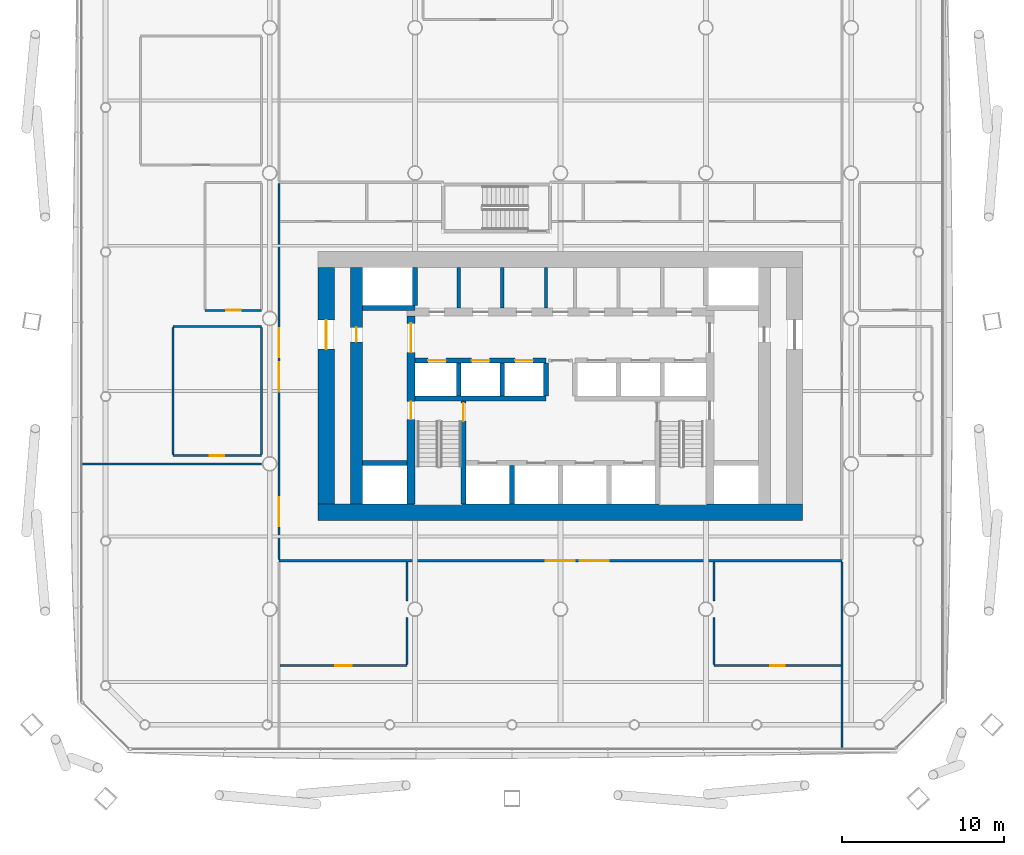
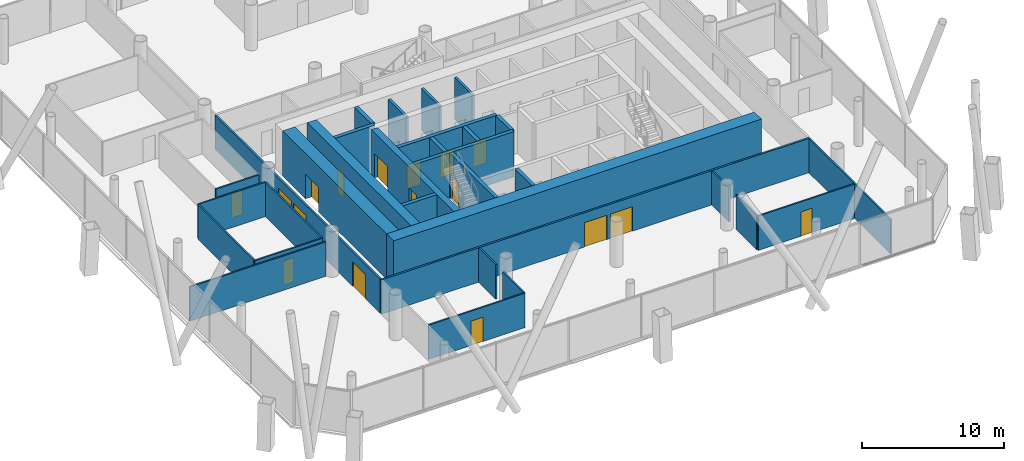
# One storey, part 17 of 25: 32 walls, 17 doors, 17 openings.
"""IFC4 building model written with IfcOpenShell, lengths in metres."""

from ifc_helpers import new_model, si_unit, direction, frame, frame_2d, origin, place, context, subcontext, project, spatial, rectangle, extrude, material, layer, layer_set, type_object, element, fill, save


model = new_model("IFC4")

# Units and contexts
model_context = context("Model", 3, precision=1e-05, world=origin(), true_north=direction((0.0, 1.0)))
body_context = subcontext(model_context, "Body", "Model", "MODEL_VIEW")
ifc_project = project(units=[si_unit("LENGTHUNIT", "METRE"), si_unit("AREAUNIT", "SQUARE_METRE"), si_unit("VOLUMEUNIT", "CUBIC_METRE"), si_unit("PLANEANGLEUNIT", "RADIAN"), si_unit("MASSUNIT", "GRAM", prefix="KILO")], contexts=[model_context])

# Site, building, storey
site_placement = place(None, origin())
site = spatial("IfcSite", under=ifc_project, at=site_placement, CompositionType="ELEMENT")
building_placement = place(site_placement, origin())
building = spatial("IfcBuilding", under=site, at=building_placement, Name="Tskaro Facet Tower", CompositionType="ELEMENT")
storey_placement = place(building_placement, frame((0.0, 0.0, 34.199951171875)))
storey = spatial("IfcBuildingStorey", under=building, at=storey_placement, Name="L07", CompositionType="ELEMENT", Elevation=34.199951171875)

# Walls
ifc_material_1 = material(Name="Concrete C60/75", Category="concrete")
ifc_layer_1 = layer(ifc_material_1, 0.300048828125, Name="Concrete C60/75")
ifc_layer_set_1 = layer_set([ifc_layer_1], Name="Concrete C60/75")
wall_type_1 = type_object("IfcWallType", Name="CORE-SHAFT", PredefinedType="SHEAR", material=ifc_layer_set_1)
wall_1_placement = place(storey_placement, frame((-12.25, -8.949951171875, 0.0), z_axis=(0.0, 0.0, 1.0), x_axis=(1.0, 0.0, 0.0)))
element("IfcWall", 1, at=wall_1_placement, inside=storey, type_object=wall_type_1, Name="Shaft wall W005", PredefinedType="SHEAR", context=body_context, shape_type="SweptSolid", body=[
    extrude(rectangle(XDim=2.75, YDim=0.300048828125, at=frame_2d((1.375, 0.0))), origin(), (0.0, 0.0, 1.0), 3.900146484375),
])
wall_2_placement = place(storey_placement, frame((-9.0, -4.949951171875, 0.0), z_axis=(0.0, 0.0, 1.0), x_axis=(1.0, 0.0, 0.0)))
element("IfcWall", 2, at=wall_2_placement, inside=storey, type_object=wall_type_1, Name="Shaft wall W010", PredefinedType="SHEAR", context=body_context, shape_type="SweptSolid", body=[
    extrude(rectangle(XDim=8.10009765625, YDim=0.300048828125, at=frame_2d((4.050048828125, 0.0))), origin(), (0.0, 0.0, 1.0), 3.900146484375),
])

# Wall, openings, doors
wall_3_placement = place(storey_placement, frame((-9.0, -2.60009765625, 0.0), z_axis=(0.0, 0.0, 1.0), x_axis=(1.0, 0.0, 0.0)))
wall_3 = element("IfcWall", 3, at=wall_3_placement, inside=storey, type_object=wall_type_1, Name="Shaft wall W012", PredefinedType="SHEAR", context=body_context, shape_type="SweptSolid", body=[
    extrude(rectangle(XDim=8.10009765625, YDim=0.300048828125, at=frame_2d((4.050048828125, 0.0))), origin(), (0.0, 0.0, 1.0), 3.900146484375),
])
opening_1_placement = place(wall_3_placement, frame((0.800048828125, 0.0, 0.0)))
opening_1 = element("IfcOpeningElement", 4, at=opening_1_placement, cuts=wall_3, Name="Opening LD-LR1", PredefinedType="OPENING", context=body_context, shape_type="SweptSolid", body=[
    extrude(rectangle(XDim=1.10009765625, YDim=2.10009765625, at=frame_2d((0.550048828125, 1.050048828125))), frame((0.0, 0.159912109375, 0.0), z_axis=(0.0, -1.0, 0.0), x_axis=(1.0, 0.0, 0.0)), (0.0, 0.0, 1.0), 0.320068359375),
])
opening_2_placement = place(wall_3_placement, frame((3.5, 0.0, 0.0)))
opening_2 = element("IfcOpeningElement", 5, at=opening_2_placement, cuts=wall_3, Name="Opening LD-LR2", PredefinedType="OPENING", context=body_context, shape_type="SweptSolid", body=[
    extrude(rectangle(XDim=1.10009765625, YDim=2.10009765625, at=frame_2d((0.550048828125, 1.050048828125))), frame((0.0, 0.159912109375, 0.0), z_axis=(0.0, -1.0, 0.0), x_axis=(1.0, 0.0, 0.0)), (0.0, 0.0, 1.0), 0.320068359375),
])
opening_3_placement = place(wall_3_placement, frame((6.199951171875, 0.0, 0.0)))
opening_3 = element("IfcOpeningElement", 6, at=opening_3_placement, cuts=wall_3, Name="Opening LD-LR3", PredefinedType="OPENING", context=body_context, shape_type="SweptSolid", body=[
    extrude(rectangle(XDim=1.10009765625, YDim=2.10009765625, at=frame_2d((0.550048828125, 1.050048828125))), frame((0.0, 0.159912109375, 0.0), z_axis=(0.0, -1.0, 0.0), x_axis=(1.0, 0.0, 0.0)), (0.0, 0.0, 1.0), 0.320068359375),
])
ifc_material_2 = material(Name="Stainless steel", Category="steel")
door_type_1 = type_object("IfcDoorType", Name="D-LANDING", OperationType="NOTDEFINED", PredefinedType="DOOR", material=ifc_material_2)
door_1_placement = place(opening_1_placement, origin())
door_1 = element("IfcDoor", 7, at=door_1_placement, inside=storey, type_object=door_type_1, Name="Landing door LR1", OperationType="DOUBLE_DOOR_SLIDING", OverallHeight=2.10009765625, OverallWidth=1.10009765625, PredefinedType="DOOR", context=body_context, shape_type="SweptSolid", body=[
    extrude(rectangle(XDim=1.10009765625, YDim=2.10009765625, at=frame_2d((0.550048828125, 1.050048828125))), frame((0.0, 0.02490234375, 0.0), z_axis=(0.0, -1.0, 0.0), x_axis=(1.0, 0.0, 0.0)), (0.0, 0.0, 1.0), 0.050048828125),
])
fill(opening_1, door_1)
door_2_placement = place(opening_2_placement, origin())
door_2 = element("IfcDoor", 8, at=door_2_placement, inside=storey, type_object=door_type_1, Name="Landing door LR2", OperationType="DOUBLE_DOOR_SLIDING", OverallHeight=2.10009765625, OverallWidth=1.10009765625, PredefinedType="DOOR", context=body_context, shape_type="SweptSolid", body=[
    extrude(rectangle(XDim=1.10009765625, YDim=2.10009765625, at=frame_2d((0.550048828125, 1.050048828125))), frame((0.0, 0.02490234375, 0.0), z_axis=(0.0, -1.0, 0.0), x_axis=(1.0, 0.0, 0.0)), (0.0, 0.0, 1.0), 0.050048828125),
])
fill(opening_2, door_2)
door_3_placement = place(opening_3_placement, origin())
door_3 = element("IfcDoor", 9, at=door_3_placement, inside=storey, type_object=door_type_1, Name="Landing door LR3", OperationType="DOUBLE_DOOR_SLIDING", OverallHeight=2.10009765625, OverallWidth=1.10009765625, PredefinedType="DOOR", context=body_context, shape_type="SweptSolid", body=[
    extrude(rectangle(XDim=1.10009765625, YDim=2.10009765625, at=frame_2d((0.550048828125, 1.050048828125))), frame((0.0, 0.02490234375, 0.0), z_axis=(0.0, -1.0, 0.0), x_axis=(1.0, 0.0, 0.0)), (0.0, 0.0, 1.0), 0.050048828125),
])
fill(opening_3, door_3)

# Walls
wall_4_placement = place(storey_placement, frame((-9.0, 0.64990234375, 0.0), z_axis=(0.0, 0.0, 1.0), x_axis=(-1.0, 0.0, 0.0)))
element("IfcWall", 10, at=wall_4_placement, inside=storey, type_object=wall_type_1, Name="Shaft wall W019", PredefinedType="SHEAR", context=body_context, shape_type="SweptSolid", body=[
    extrude(rectangle(XDim=3.25, YDim=0.300048828125, at=frame_2d((1.625, 0.0))), origin(), (0.0, 0.0, 1.0), 3.900146484375),
])
wall_5_placement = place(storey_placement, frame((-9.0, 0.800048828125, 0.0), z_axis=(0.0, 0.0, 1.0), x_axis=(0.0, 1.0, 0.0)))
element("IfcWall", 11, at=wall_5_placement, inside=storey, type_object=wall_type_1, Name="Shaft wall W046", PredefinedType="SHEAR", context=body_context, shape_type="SweptSolid", body=[
    extrude(rectangle(XDim=2.349853515625, YDim=0.300048828125, at=frame_2d((1.1748046875, 0.0))), origin(), (0.0, 0.0, 1.0), 3.900146484375),
])
wall_6_placement = place(storey_placement, frame((-6.300048828125, -4.800048828125, 0.0), z_axis=(0.0, 0.0, 1.0), x_axis=(0.0, 1.0, 0.0)))
element("IfcWall", 12, at=wall_6_placement, inside=storey, type_object=wall_type_1, Name="Shaft wall W049", PredefinedType="SHEAR", context=body_context, shape_type="SweptSolid", body=[
    extrude(rectangle(XDim=2.050048828125, YDim=0.300048828125, at=frame_2d((1.02490234375, 0.0))), origin(), (0.0, 0.0, 1.0), 3.900146484375),
])

# Wall, opening, door
wall_7_placement = place(storey_placement, frame((-6.0, -11.5, 0.0), z_axis=(0.0, 0.0, 1.0), x_axis=(0.0, 1.0, 0.0)))
wall_7 = element("IfcWall", 13, at=wall_7_placement, inside=storey, type_object=wall_type_1, Name="Shaft wall W051", PredefinedType="SHEAR", context=body_context, shape_type="SweptSolid", body=[
    extrude(rectangle(XDim=6.39990234375, YDim=0.300048828125, at=frame_2d((3.199951171875, 0.0))), origin(), (0.0, 0.0, 1.0), 3.900146484375),
])
opening_4_placement = place(wall_7_placement, frame((5.14990234375, 0.0, 0.0)))
opening_4 = element("IfcOpeningElement", 14, at=opening_4_placement, cuts=wall_7, Name="Opening ST-1-D1", PredefinedType="OPENING", context=body_context, shape_type="SweptSolid", body=[
    extrude(rectangle(XDim=1.10009765625, YDim=2.10009765625, at=frame_2d((0.550048828125, 1.050048828125))), frame((0.0, 0.159912109375, 0.0), z_axis=(0.0, -1.0, 0.0), x_axis=(1.0, 0.0, 0.0)), (0.0, 0.0, 1.0), 0.320068359375),
])
ifc_material_3 = material(Name="Steel", Category="steel")
door_type_2 = type_object("IfcDoorType", Name="D-STAIR", OperationType="NOTDEFINED", PredefinedType="DOOR", material=ifc_material_3)
door_4_placement = place(opening_4_placement, origin())
door_4 = element("IfcDoor", 15, at=door_4_placement, inside=storey, type_object=door_type_2, Name="Stair door 1", OperationType="SINGLE_SWING_LEFT", OverallHeight=2.10009765625, OverallWidth=1.10009765625, PredefinedType="DOOR", context=body_context, shape_type="SweptSolid", body=[
    extrude(rectangle(XDim=1.10009765625, YDim=2.10009765625, at=frame_2d((0.550048828125, 1.050048828125))), frame((0.0, 0.02490234375, 0.0), z_axis=(0.0, -1.0, 0.0), x_axis=(1.0, 0.0, 0.0)), (0.0, 0.0, 1.0), 0.050048828125),
])
fill(opening_4, door_4)

# Walls
wall_8_placement = place(storey_placement, frame((-3.60009765625, -4.800048828125, 0.0), z_axis=(0.0, 0.0, 1.0), x_axis=(0.0, 1.0, 0.0)))
element("IfcWall", 16, at=wall_8_placement, inside=storey, type_object=wall_type_1, Name="Shaft wall W052", PredefinedType="SHEAR", context=body_context, shape_type="SweptSolid", body=[
    extrude(rectangle(XDim=2.050048828125, YDim=0.300048828125, at=frame_2d((1.02490234375, 0.0))), origin(), (0.0, 0.0, 1.0), 3.900146484375),
])
wall_9_placement = place(storey_placement, frame((-3.0, -11.5, 0.0), z_axis=(0.0, 0.0, 1.0), x_axis=(0.0, 1.0, 0.0)))
element("IfcWall", 17, at=wall_9_placement, inside=storey, type_object=wall_type_1, Name="Shaft wall W054", PredefinedType="SHEAR", context=body_context, shape_type="SweptSolid", body=[
    extrude(rectangle(XDim=2.39990234375, YDim=0.300048828125, at=frame_2d((1.199951171875, 0.0))), origin(), (0.0, 0.0, 1.0), 3.900146484375),
])
wall_10_placement = place(storey_placement, frame((-0.89990234375, -4.800048828125, 0.0), z_axis=(0.0, 0.0, 1.0), x_axis=(0.0, 1.0, 0.0)))
element("IfcWall", 18, at=wall_10_placement, inside=storey, type_object=wall_type_1, Name="Shaft wall W055", PredefinedType="SHEAR", context=body_context, shape_type="SweptSolid", body=[
    extrude(rectangle(XDim=2.050048828125, YDim=0.300048828125, at=frame_2d((1.02490234375, 0.0))), origin(), (0.0, 0.0, 1.0), 3.900146484375),
])
ifc_material_4 = material(Name="Concrete C20/25", Category="concrete")
ifc_layer_2 = layer(ifc_material_4, 0.199951171875, Name="Concrete C20/25")
ifc_layer_set_2 = layer_set([ifc_layer_2], Name="Concrete C20/25")
wall_type_2 = type_object("IfcWallType", Name="CORE-WALL", PredefinedType="SOLIDWALL", material=ifc_layer_set_2)
for number, where, z_axis, x_axis, name in (
    (19, (-6.300048828125, 0.64990234375, 0.0), (0.0, 0.0, 1.0), (0.0, 1.0, 0.0), "Core room wall W050"),
    (20, (-3.60009765625, 0.64990234375, 0.0), (0.0, 0.0, 1.0), (0.0, 1.0, 0.0), "Core room wall W053"),
    (21, (-0.89990234375, 0.64990234375, 0.0), (0.0, 0.0, 1.0), (0.0, 1.0, 0.0), "Core room wall W056"),
):
    element("IfcWall", number, at=place(storey_placement, frame(where, z_axis=z_axis, x_axis=x_axis)), inside=storey, type_object=wall_type_2, Name=name, PredefinedType="SOLIDWALL", context=body_context, shape_type="SweptSolid", body=[
        extrude(rectangle(XDim=2.5, YDim=0.199951171875, at=frame_2d((1.25, 0.0))), origin(), (0.0, 0.0, 1.0), 3.60009765625),
    ])
ifc_layer_3 = layer(ifc_material_1, 1.0, Name="Concrete C60/75")
ifc_layer_set_3 = layer_set([ifc_layer_3], Name="Concrete C60/75")
wall_type_3 = type_object("IfcWallType", Name="Core wall 1000", PredefinedType="SHEAR", material=ifc_layer_set_3)
wall_11_placement = place(storey_placement, frame((-15.0, -12.0, 0.0), z_axis=(0.0, 0.0, 1.0), x_axis=(1.0, 0.0, 0.0)))
element("IfcWall", 22, at=wall_11_placement, inside=storey, type_object=wall_type_3, Name="Core wall CW-Z1S", PredefinedType="SHEAR", context=body_context, shape_type="SweptSolid", body=[
    extrude(rectangle(XDim=30.0, YDim=1.0, at=frame_2d((15.0, 0.0))), origin(), (0.0, 0.0, 1.0), 3.900146484375),
])

# Wall, opening, door
wall_12_placement = place(storey_placement, frame((-14.5, -11.5, 0.0), z_axis=(0.0, 0.0, 1.0), x_axis=(0.0, 1.0, 0.0)))
wall_12 = element("IfcWall", 23, at=wall_12_placement, inside=storey, type_object=wall_type_3, Name="Core wall CW-Z1W", PredefinedType="SHEAR", context=body_context, shape_type="SweptSolid", body=[
    extrude(rectangle(XDim=14.64990234375, YDim=1.0, at=frame_2d((7.324951171875, 0.0))), origin(), (0.0, 0.0, 1.0), 3.900146484375),
])
opening_5_placement = place(wall_12_placement, frame((9.60009765625, 0.0, 0.0)))
opening_5 = element("IfcOpeningElement", 24, at=opening_5_placement, cuts=wall_12, Name="Opening T2-D16", PredefinedType="OPENING", context=body_context, shape_type="SweptSolid", body=[
    extrude(rectangle(XDim=1.800048828125, YDim=2.10009765625, at=frame_2d((0.89990234375, 1.050048828125))), frame((0.0, 0.510009765625, 0.0), z_axis=(0.0, -1.0, 0.0), x_axis=(1.0, 0.0, 0.0)), (0.0, 0.0, 1.0), 1.02001953125),
])
door_type_3 = type_object("IfcDoorType", Name="D-CORE-PAIR", OperationType="NOTDEFINED", PredefinedType="DOOR", material=ifc_material_3)
door_5_placement = place(opening_5_placement, origin())
door_5 = element("IfcDoor", 25, at=door_5_placement, inside=storey, type_object=door_type_3, Name="Door T2-D16", OperationType="DOUBLE_DOOR_SINGLE_SWING", OverallHeight=2.10009765625, OverallWidth=1.800048828125, PredefinedType="DOOR", context=body_context, shape_type="SweptSolid", body=[
    extrude(rectangle(XDim=1.800048828125, YDim=2.10009765625, at=frame_2d((0.89990234375, 1.050048828125))), frame((0.0, 0.02490234375, 0.0), z_axis=(0.0, -1.0, 0.0), x_axis=(1.0, 0.0, 0.0)), (0.0, 0.0, 1.0), 0.050048828125),
])
fill(opening_5, door_5)

# Wall, openings, doors
ifc_material_5 = material(Name="Concrete C40/50", Category="concrete")
ifc_layer_4 = layer(ifc_material_5, 0.5, Name="Concrete C40/50")
ifc_layer_set_4 = layer_set([ifc_layer_4], Name="Concrete C40/50")
wall_type_4 = type_object("IfcWallType", Name="Core wall 500", PredefinedType="SHEAR", material=ifc_layer_set_4)
wall_13_placement = place(storey_placement, frame((-9.25, -11.5, 0.0), z_axis=(0.0, 0.0, 1.0), x_axis=(0.0, 1.0, 0.0)))
wall_13 = element("IfcWall", 26, at=wall_13_placement, inside=storey, type_object=wall_type_4, Name="Core wall CW-Z3W", PredefinedType="SHEAR", context=body_context, shape_type="SweptSolid", body=[
    extrude(rectangle(XDim=11.64990234375, YDim=0.5, at=frame_2d((5.824951171875, 0.0))), origin(), (0.0, 0.0, 1.0), 3.900146484375),
])
opening_6_placement = place(wall_13_placement, frame((9.39990234375, 0.0, 0.0)))
opening_6 = element("IfcOpeningElement", 27, at=opening_6_placement, cuts=wall_13, Name="Opening T2-D14", PredefinedType="OPENING", context=body_context, shape_type="SweptSolid", body=[
    extrude(rectangle(XDim=1.800048828125, YDim=2.10009765625, at=frame_2d((0.89990234375, 1.050048828125))), frame((0.0, 0.260009765625, 0.0), z_axis=(0.0, -1.0, 0.0), x_axis=(1.0, 0.0, 0.0)), (0.0, 0.0, 1.0), 0.52001953125),
])
opening_7_placement = place(wall_13_placement, frame((5.25, 0.0, 0.0)))
opening_7 = element("IfcOpeningElement", 28, at=opening_7_placement, cuts=wall_13, Name="Opening ST-1-D2", PredefinedType="OPENING", context=body_context, shape_type="SweptSolid", body=[
    extrude(rectangle(XDim=1.10009765625, YDim=2.10009765625, at=frame_2d((0.550048828125, 1.050048828125))), frame((0.0, 0.260009765625, 0.0), z_axis=(0.0, -1.0, 0.0), x_axis=(1.0, 0.0, 0.0)), (0.0, 0.0, 1.0), 0.52001953125),
])
door_6_placement = place(opening_6_placement, origin())
door_6 = element("IfcDoor", 29, at=door_6_placement, inside=storey, type_object=door_type_3, Name="Door T2-D14", OperationType="DOUBLE_DOOR_SINGLE_SWING", OverallHeight=2.10009765625, OverallWidth=1.800048828125, PredefinedType="DOOR", context=body_context, shape_type="SweptSolid", body=[
    extrude(rectangle(XDim=1.800048828125, YDim=2.10009765625, at=frame_2d((0.89990234375, 1.050048828125))), frame((0.0, 0.02490234375, 0.0), z_axis=(0.0, -1.0, 0.0), x_axis=(1.0, 0.0, 0.0)), (0.0, 0.0, 1.0), 0.050048828125),
])
fill(opening_6, door_6)
door_7_placement = place(opening_7_placement, origin())
door_7 = element("IfcDoor", 30, at=door_7_placement, inside=storey, type_object=door_type_2, Name="Stair door 1 west", OperationType="SINGLE_SWING_LEFT", OverallHeight=2.10009765625, OverallWidth=1.10009765625, PredefinedType="DOOR", context=body_context, shape_type="SweptSolid", body=[
    extrude(rectangle(XDim=1.10009765625, YDim=2.10009765625, at=frame_2d((0.550048828125, 1.050048828125))), frame((0.0, 0.02490234375, 0.0), z_axis=(0.0, -1.0, 0.0), x_axis=(1.0, 0.0, 0.0)), (0.0, 0.0, 1.0), 0.050048828125),
])
fill(opening_7, door_7)

# Wall, opening, door
ifc_material_6 = material(Name="Concrete C50/60", Category="concrete")
ifc_layer_5 = layer(ifc_material_6, 0.75, Name="Concrete C50/60")
ifc_layer_set_5 = layer_set([ifc_layer_5], Name="Concrete C50/60")
wall_type_5 = type_object("IfcWallType", Name="Core wall 750", PredefinedType="SHEAR", material=ifc_layer_set_5)
wall_14_placement = place(storey_placement, frame((-12.625, -11.5, 0.0), z_axis=(0.0, 0.0, 1.0), x_axis=(0.0, 1.0, 0.0)))
wall_14 = element("IfcWall", 31, at=wall_14_placement, inside=storey, type_object=wall_type_5, Name="Core wall CW-Z2W", PredefinedType="SHEAR", context=body_context, shape_type="SweptSolid", body=[
    extrude(rectangle(XDim=14.64990234375, YDim=0.75, at=frame_2d((7.324951171875, 0.0))), origin(), (0.0, 0.0, 1.0), 3.900146484375),
])
opening_8_placement = place(wall_14_placement, frame((10.050048828125, 0.0, 0.0)))
opening_8 = element("IfcOpeningElement", 32, at=opening_8_placement, cuts=wall_14, Name="Opening T2-D17", PredefinedType="OPENING", context=body_context, shape_type="SweptSolid", body=[
    extrude(rectangle(XDim=0.89990234375, YDim=2.10009765625, at=frame_2d((0.449951171875, 1.050048828125))), frame((0.0, 0.385009765625, 0.0), z_axis=(0.0, -1.0, 0.0), x_axis=(1.0, 0.0, 0.0)), (0.0, 0.0, 1.0), 0.77001953125),
])
ifc_material_7 = material(Name="Timber", Category="wood")
door_type_4 = type_object("IfcDoorType", Name="D-ROOM", OperationType="NOTDEFINED", PredefinedType="DOOR", material=ifc_material_7)
door_8_placement = place(opening_8_placement, origin())
door_8 = element("IfcDoor", 33, at=door_8_placement, inside=storey, type_object=door_type_4, Name="Door T2-D17", OperationType="SINGLE_SWING_LEFT", OverallHeight=2.10009765625, OverallWidth=0.89990234375, PredefinedType="DOOR", context=body_context, shape_type="SweptSolid", body=[
    extrude(rectangle(XDim=0.89990234375, YDim=2.10009765625, at=frame_2d((0.449951171875, 1.050048828125))), frame((0.0, 0.02490234375, 0.0), z_axis=(0.0, -1.0, 0.0), x_axis=(1.0, 0.0, 0.0)), (0.0, 0.0, 1.0), 0.050048828125),
])
fill(opening_8, door_8)

ifc_material_8 = material(Name="Gypsum board on steel studs", Category="steel")
ifc_layer_6 = layer(ifc_material_8, 0.125, Name="Gypsum board on steel studs")
ifc_layer_set_6 = layer_set([ifc_layer_6], Name="Gypsum board on steel studs")
wall_type_6 = type_object("IfcWallType", Name="PART", PredefinedType="PARTITIONING", material=ifc_layer_set_6)
wall_15_placement = place(storey_placement, frame((-17.362548828125, -21.5, 0.0), z_axis=(0.0, 0.0, 1.0), x_axis=(1.0, 0.0, 0.0)))
wall_15 = element("IfcWall", 34, at=wall_15_placement, inside=storey, type_object=wall_type_6, Name="Partition W001", PredefinedType="PARTITIONING", context=body_context, shape_type="SweptSolid", body=[
    extrude(rectangle(XDim=7.862548828125, YDim=0.125, at=frame_2d((3.93115234375, 0.0))), origin(), (0.0, 0.0, 1.0), 2.9599609375),
])
opening_9_placement = place(wall_15_placement, frame((3.43115234375, 0.0, 0.0)))
opening_9 = element("IfcOpeningElement", 35, at=opening_9_placement, cuts=wall_15, Name="Opening T2-D01", PredefinedType="OPENING", context=body_context, shape_type="SweptSolid", body=[
    extrude(rectangle(XDim=1.0, YDim=2.10009765625, at=frame_2d((0.5, 1.050048828125))), frame((0.0, 0.072509765625, 0.0), z_axis=(0.0, -1.0, 0.0), x_axis=(1.0, 0.0, 0.0)), (0.0, 0.0, 1.0), 0.14501953125),
])
door_type_5 = type_object("IfcDoorType", Name="D-ROOM-WIDE", OperationType="NOTDEFINED", PredefinedType="DOOR", material=ifc_material_7)
door_9_placement = place(opening_9_placement, origin())
door_9 = element("IfcDoor", 36, at=door_9_placement, inside=storey, type_object=door_type_5, Name="Door T2-D01", OperationType="SINGLE_SWING_LEFT", OverallHeight=2.10009765625, OverallWidth=1.0, PredefinedType="DOOR", context=body_context, shape_type="SweptSolid", body=[
    extrude(rectangle(XDim=1.0, YDim=2.10009765625, at=frame_2d((0.5, 1.050048828125))), frame((0.0, 0.02490234375, 0.0), z_axis=(0.0, -1.0, 0.0), x_axis=(1.0, 0.0, 0.0)), (0.0, 0.0, 1.0), 0.050048828125),
])
fill(opening_9, door_9)

wall_16_placement = place(storey_placement, frame((9.5, -21.5, 0.0), z_axis=(0.0, 0.0, 1.0), x_axis=(1.0, 0.0, 0.0)))
wall_16 = element("IfcWall", 37, at=wall_16_placement, inside=storey, type_object=wall_type_6, Name="Partition W002", PredefinedType="PARTITIONING", context=body_context, shape_type="SweptSolid", body=[
    extrude(rectangle(XDim=7.862548828125, YDim=0.125, at=frame_2d((3.93115234375, 0.0))), origin(), (0.0, 0.0, 1.0), 2.9599609375),
])
opening_10_placement = place(wall_16_placement, frame((3.481201171875, 0.0, 0.0)))
opening_10 = element("IfcOpeningElement", 38, at=opening_10_placement, cuts=wall_16, Name="Opening T2-D02", PredefinedType="OPENING", context=body_context, shape_type="SweptSolid", body=[
    extrude(rectangle(XDim=0.89990234375, YDim=2.10009765625, at=frame_2d((0.449951171875, 1.050048828125))), frame((0.0, 0.072509765625, 0.0), z_axis=(0.0, -1.0, 0.0), x_axis=(1.0, 0.0, 0.0)), (0.0, 0.0, 1.0), 0.14501953125),
])
door_10_placement = place(opening_10_placement, origin())
door_10 = element("IfcDoor", 39, at=door_10_placement, inside=storey, type_object=door_type_4, Name="Door T2-D02", OperationType="SINGLE_SWING_LEFT", OverallHeight=2.10009765625, OverallWidth=0.89990234375, PredefinedType="DOOR", context=body_context, shape_type="SweptSolid", body=[
    extrude(rectangle(XDim=0.89990234375, YDim=2.10009765625, at=frame_2d((0.449951171875, 1.050048828125))), frame((0.0, 0.02490234375, 0.0), z_axis=(0.0, -1.0, 0.0), x_axis=(1.0, 0.0, 0.0)), (0.0, 0.0, 1.0), 0.050048828125),
])
fill(opening_10, door_10)

# Wall
wall_17_placement = place(storey_placement, frame((-29.60400390625, -9.0, 0.0), z_axis=(0.0, 0.0, 1.0), x_axis=(1.0, 0.0, 0.0)))
element("IfcWall", 40, at=wall_17_placement, inside=storey, type_object=wall_type_6, Name="Partition W004", PredefinedType="PARTITIONING", context=body_context, shape_type="SweptSolid", body=[
    extrude(rectangle(XDim=11.10400390625, YDim=0.125, at=frame_2d((5.552001953125, 0.0))), origin(), (0.0, 0.0, 1.0), 2.9599609375),
])

# Wall, opening, door
wall_18_placement = place(storey_placement, frame((-24.0, -8.5, 0.0), z_axis=(0.0, 0.0, 1.0), x_axis=(1.0, 0.0, 0.0)))
wall_18 = element("IfcWall", 41, at=wall_18_placement, inside=storey, type_object=wall_type_6, Name="Partition W008", PredefinedType="PARTITIONING", context=body_context, shape_type="SweptSolid", body=[
    extrude(rectangle(XDim=5.5, YDim=0.125, at=frame_2d((2.75, 0.0))), origin(), (0.0, 0.0, 1.0), 2.9599609375),
])
opening_11_placement = place(wall_18_placement, frame((2.300048828125, 0.0, 0.0)))
opening_11 = element("IfcOpeningElement", 42, at=opening_11_placement, cuts=wall_18, Name="Opening T2-D08", PredefinedType="OPENING", context=body_context, shape_type="SweptSolid", body=[
    extrude(rectangle(XDim=0.89990234375, YDim=2.10009765625, at=frame_2d((0.449951171875, 1.050048828125))), frame((0.0, 0.072509765625, 0.0), z_axis=(0.0, -1.0, 0.0), x_axis=(1.0, 0.0, 0.0)), (0.0, 0.0, 1.0), 0.14501953125),
])
door_11_placement = place(opening_11_placement, origin())
door_11 = element("IfcDoor", 43, at=door_11_placement, inside=storey, type_object=door_type_4, Name="Door T2-D08", OperationType="SINGLE_SWING_LEFT", OverallHeight=2.10009765625, OverallWidth=0.89990234375, PredefinedType="DOOR", context=body_context, shape_type="SweptSolid", body=[
    extrude(rectangle(XDim=0.89990234375, YDim=2.10009765625, at=frame_2d((0.449951171875, 1.050048828125))), frame((0.0, 0.02490234375, 0.0), z_axis=(0.0, -1.0, 0.0), x_axis=(1.0, 0.0, 0.0)), (0.0, 0.0, 1.0), 0.050048828125),
])
fill(opening_11, door_11)

# Wall
wall_19_placement = place(storey_placement, frame((-24.0, -0.5, 0.0), z_axis=(0.0, 0.0, 1.0), x_axis=(1.0, 0.0, 0.0)))
element("IfcWall", 44, at=wall_19_placement, inside=storey, type_object=wall_type_6, Name="Partition W015", PredefinedType="PARTITIONING", context=body_context, shape_type="SweptSolid", body=[
    extrude(rectangle(XDim=5.5, YDim=0.125, at=frame_2d((2.75, 0.0))), origin(), (0.0, 0.0, 1.0), 2.9599609375),
])

# Wall, opening, door
wall_20_placement = place(storey_placement, frame((-22.0, 0.5, 0.0), z_axis=(0.0, 0.0, 1.0), x_axis=(1.0, 0.0, 0.0)))
wall_20 = element("IfcWall", 45, at=wall_20_placement, inside=storey, type_object=wall_type_6, Name="Partition W017", PredefinedType="PARTITIONING", context=body_context, shape_type="SweptSolid", body=[
    extrude(rectangle(XDim=3.5, YDim=0.125, at=frame_2d((1.75, 0.0))), origin(), (0.0, 0.0, 1.0), 2.9599609375),
])
opening_12_placement = place(wall_20_placement, frame((1.300048828125, 0.0, 0.0)))
opening_12 = element("IfcOpeningElement", 46, at=opening_12_placement, cuts=wall_20, Name="Opening T2-D27", PredefinedType="OPENING", context=body_context, shape_type="SweptSolid", body=[
    extrude(rectangle(XDim=0.89990234375, YDim=2.10009765625, at=frame_2d((0.449951171875, 1.050048828125))), frame((0.0, 0.072509765625, 0.0), z_axis=(0.0, -1.0, 0.0), x_axis=(1.0, 0.0, 0.0)), (0.0, 0.0, 1.0), 0.14501953125),
])
door_12_placement = place(opening_12_placement, origin())
door_12 = element("IfcDoor", 47, at=door_12_placement, inside=storey, type_object=door_type_4, Name="Door T2-D27", OperationType="SINGLE_SWING_LEFT", OverallHeight=2.10009765625, OverallWidth=0.89990234375, PredefinedType="DOOR", context=body_context, shape_type="SweptSolid", body=[
    extrude(rectangle(XDim=0.89990234375, YDim=2.10009765625, at=frame_2d((0.449951171875, 1.050048828125))), frame((0.0, 0.02490234375, 0.0), z_axis=(0.0, -1.0, 0.0), x_axis=(1.0, 0.0, 0.0)), (0.0, 0.0, 1.0), 0.050048828125),
])
fill(opening_12, door_12)

# Walls
for number, where, z_axis, x_axis, name in (
    (48, (-24.0, -8.4375, 0.0), (0.0, 0.0, 1.0), (0.0, 1.0, 0.0), "Partition W035"),
    (49, (-18.5, -8.4375, 0.0), (0.0, 0.0, 1.0), (0.0, 1.0, 0.0), "Partition W037"),
):
    element("IfcWall", number, at=place(storey_placement, frame(where, z_axis=z_axis, x_axis=x_axis)), inside=storey, type_object=wall_type_6, Name=name, PredefinedType="PARTITIONING", context=body_context, shape_type="SweptSolid", body=[
        extrude(rectangle(XDim=7.875, YDim=0.125, at=frame_2d((3.9375, 0.0))), origin(), (0.0, 0.0, 1.0), 2.9599609375),
    ])
wall_21_placement = place(storey_placement, frame((-9.5, -21.4375, 0.0), z_axis=(0.0, 0.0, 1.0), x_axis=(0.0, 1.0, 0.0)))
element("IfcWall", 50, at=wall_21_placement, inside=storey, type_object=wall_type_6, Name="Partition W044", PredefinedType="PARTITIONING", context=body_context, shape_type="SweptSolid", body=[
    extrude(rectangle(XDim=2.9375, YDim=0.125, at=frame_2d((1.46875, 0.0))), origin(), (0.0, 0.0, 1.0), 2.9599609375),
])
wall_22_placement = place(storey_placement, frame((-9.5, -17.5, 0.0), z_axis=(0.0, 0.0, 1.0), x_axis=(0.0, 1.0, 0.0)))
element("IfcWall", 51, at=wall_22_placement, inside=storey, type_object=wall_type_6, Name="Partition W045", PredefinedType="PARTITIONING", context=body_context, shape_type="SweptSolid", body=[
    extrude(rectangle(XDim=2.425048828125, YDim=0.125, at=frame_2d((1.21240234375, 0.0))), origin(), (0.0, 0.0, 1.0), 2.9599609375),
])
wall_23_placement = place(storey_placement, frame((9.5, -21.4375, 0.0), z_axis=(0.0, 0.0, 1.0), x_axis=(0.0, 1.0, 0.0)))
element("IfcWall", 52, at=wall_23_placement, inside=storey, type_object=wall_type_6, Name="Partition W071", PredefinedType="PARTITIONING", context=body_context, shape_type="SweptSolid", body=[
    extrude(rectangle(XDim=2.9375, YDim=0.125, at=frame_2d((1.46875, 0.0))), origin(), (0.0, 0.0, 1.0), 2.9599609375),
])
wall_24_placement = place(storey_placement, frame((9.5, -17.5, 0.0), z_axis=(0.0, 0.0, 1.0), x_axis=(0.0, 1.0, 0.0)))
element("IfcWall", 53, at=wall_24_placement, inside=storey, type_object=wall_type_6, Name="Partition W072", PredefinedType="PARTITIONING", context=body_context, shape_type="SweptSolid", body=[
    extrude(rectangle(XDim=2.425048828125, YDim=0.125, at=frame_2d((1.21240234375, 0.0))), origin(), (0.0, 0.0, 1.0), 2.9599609375),
])
wall_25_placement = place(storey_placement, frame((17.425048828125, -26.60400390625, 0.0), z_axis=(0.0, 0.0, 1.0), x_axis=(0.0, 1.0, 0.0)))
element("IfcWall", 54, at=wall_25_placement, inside=storey, type_object=wall_type_6, Name="Partition W074", PredefinedType="PARTITIONING", context=body_context, shape_type="SweptSolid", body=[
    extrude(rectangle(XDim=11.529052734375, YDim=0.125, at=frame_2d((5.7646484375, 0.0))), origin(), (0.0, 0.0, 1.0), 2.9599609375),
])

# Wall, openings, doors
ifc_layer_7 = layer(ifc_material_8, 0.14990234375, Name="Gypsum board on steel studs")
ifc_layer_set_7 = layer_set([ifc_layer_7], Name="Gypsum board on steel studs")
wall_type_7 = type_object("IfcWallType", Name="PART-CORR", PredefinedType="PARTITIONING", material=ifc_layer_set_7)
wall_26_placement = place(storey_placement, frame((-17.425048828125, -15.0, 0.0), z_axis=(0.0, 0.0, 1.0), x_axis=(1.0, 0.0, 0.0)))
wall_26 = element("IfcWall", 55, at=wall_26_placement, inside=storey, type_object=wall_type_7, Name="Corridor wall W003", PredefinedType="PARTITIONING", context=body_context, shape_type="SweptSolid", body=[
    extrude(rectangle(XDim=34.85009765625, YDim=0.14990234375, at=frame_2d((17.425048828125, 0.0))), origin(), (0.0, 0.0, 1.0), 2.9599609375),
])
opening_13_placement = place(wall_26_placement, frame((16.52490234375, 0.0, 0.0)))
opening_13 = element("IfcOpeningElement", 56, at=opening_13_placement, cuts=wall_26, Name="Opening T2-D03", PredefinedType="OPENING", context=body_context, shape_type="SweptSolid", body=[
    extrude(rectangle(XDim=1.800048828125, YDim=2.10009765625, at=frame_2d((0.89990234375, 1.050048828125))), frame((0.0, 0.0849609375, 0.0), z_axis=(0.0, -1.0, 0.0), x_axis=(1.0, 0.0, 0.0)), (0.0, 0.0, 1.0), 0.169921875),
])
opening_14_placement = place(wall_26_placement, frame((18.625, 0.0, 0.0)))
opening_14 = element("IfcOpeningElement", 57, at=opening_14_placement, cuts=wall_26, Name="Opening T2-D04", PredefinedType="OPENING", context=body_context, shape_type="SweptSolid", body=[
    extrude(rectangle(XDim=1.800048828125, YDim=2.10009765625, at=frame_2d((0.89990234375, 1.050048828125))), frame((0.0, 0.0849609375, 0.0), z_axis=(0.0, -1.0, 0.0), x_axis=(1.0, 0.0, 0.0)), (0.0, 0.0, 1.0), 0.169921875),
])
ifc_material_9 = material(Name="Glass", Category="glass")
door_type_6 = type_object("IfcDoorType", Name="D-ENTRY-PAIR", OperationType="NOTDEFINED", PredefinedType="DOOR", material=ifc_material_9)
door_13_placement = place(opening_13_placement, origin())
door_13 = element("IfcDoor", 58, at=door_13_placement, inside=storey, type_object=door_type_6, Name="Door T2-D03", OperationType="DOUBLE_DOOR_SINGLE_SWING", OverallHeight=2.10009765625, OverallWidth=1.800048828125, PredefinedType="DOOR", context=body_context, shape_type="SweptSolid", body=[
    extrude(rectangle(XDim=1.800048828125, YDim=2.10009765625, at=frame_2d((0.89990234375, 1.050048828125))), frame((0.0, 0.02490234375, 0.0), z_axis=(0.0, -1.0, 0.0), x_axis=(1.0, 0.0, 0.0)), (0.0, 0.0, 1.0), 0.050048828125),
])
fill(opening_13, door_13)
door_14_placement = place(opening_14_placement, origin())
door_14 = element("IfcDoor", 59, at=door_14_placement, inside=storey, type_object=door_type_6, Name="Door T2-D04", OperationType="DOUBLE_DOOR_SINGLE_SWING", OverallHeight=2.10009765625, OverallWidth=1.800048828125, PredefinedType="DOOR", context=body_context, shape_type="SweptSolid", body=[
    extrude(rectangle(XDim=1.800048828125, YDim=2.10009765625, at=frame_2d((0.89990234375, 1.050048828125))), frame((0.0, 0.02490234375, 0.0), z_axis=(0.0, -1.0, 0.0), x_axis=(1.0, 0.0, 0.0)), (0.0, 0.0, 1.0), 0.050048828125),
])
fill(opening_14, door_14)

wall_27_placement = place(storey_placement, frame((-17.425048828125, 8.35009765625, 0.0), z_axis=(0.0, 0.0, 1.0), x_axis=(0.0, -1.0, 0.0)))
wall_27 = element("IfcWall", 60, at=wall_27_placement, inside=storey, type_object=wall_type_7, Name="Corridor wall W041", PredefinedType="PARTITIONING", context=body_context, shape_type="SweptSolid", body=[
    extrude(rectangle(XDim=23.275146484375, YDim=0.14990234375, at=frame_2d((11.6376953125, 0.0))), origin(), (0.0, 0.0, 1.0), 2.9599609375),
])
opening_15_placement = place(wall_27_placement, frame((19.41259765625, 0.0, 0.0)))
opening_15 = element("IfcOpeningElement", 61, at=opening_15_placement, cuts=wall_27, Name="Opening T2-D05", PredefinedType="OPENING", context=body_context, shape_type="SweptSolid", body=[
    extrude(rectangle(XDim=1.800048828125, YDim=2.10009765625, at=frame_2d((0.89990234375, 1.050048828125))), frame((0.0, 0.0849609375, 0.0), z_axis=(0.0, -1.0, 0.0), x_axis=(1.0, 0.0, 0.0)), (0.0, 0.0, 1.0), 0.169921875),
])
opening_16_placement = place(wall_27_placement, frame((8.949951171875, 0.0, 0.0)))
opening_16 = element("IfcOpeningElement", 62, at=opening_16_placement, cuts=wall_27, Name="Opening T2-D13", PredefinedType="OPENING", context=body_context, shape_type="SweptSolid", body=[
    extrude(rectangle(XDim=1.800048828125, YDim=2.10009765625, at=frame_2d((0.89990234375, 1.050048828125))), frame((0.0, 0.0849609375, 0.0), z_axis=(0.0, -1.0, 0.0), x_axis=(1.0, 0.0, 0.0)), (0.0, 0.0, 1.0), 0.169921875),
])
opening_17_placement = place(wall_27_placement, frame((11.050048828125, 0.0, 0.0)))
opening_17 = element("IfcOpeningElement", 63, at=opening_17_placement, cuts=wall_27, Name="Opening T2-D11", PredefinedType="OPENING", context=body_context, shape_type="SweptSolid", body=[
    extrude(rectangle(XDim=1.800048828125, YDim=2.10009765625, at=frame_2d((0.89990234375, 1.050048828125))), frame((0.0, 0.0849609375, 0.0), z_axis=(0.0, -1.0, 0.0), x_axis=(1.0, 0.0, 0.0)), (0.0, 0.0, 1.0), 0.169921875),
])
door_15_placement = place(opening_15_placement, origin())
door_15 = element("IfcDoor", 64, at=door_15_placement, inside=storey, type_object=door_type_6, Name="Door T2-D05", OperationType="DOUBLE_DOOR_SINGLE_SWING", OverallHeight=2.10009765625, OverallWidth=1.800048828125, PredefinedType="DOOR", context=body_context, shape_type="SweptSolid", body=[
    extrude(rectangle(XDim=1.800048828125, YDim=2.10009765625, at=frame_2d((0.89990234375, 1.050048828125))), frame((0.0, 0.02490234375, 0.0), z_axis=(0.0, -1.0, 0.0), x_axis=(1.0, 0.0, 0.0)), (0.0, 0.0, 1.0), 0.050048828125),
])
fill(opening_15, door_15)
door_16_placement = place(opening_16_placement, origin())
door_16 = element("IfcDoor", 65, at=door_16_placement, inside=storey, type_object=door_type_6, Name="Door T2-D13", OperationType="DOUBLE_DOOR_SINGLE_SWING", OverallHeight=2.10009765625, OverallWidth=1.800048828125, PredefinedType="DOOR", context=body_context, shape_type="SweptSolid", body=[
    extrude(rectangle(XDim=1.800048828125, YDim=2.10009765625, at=frame_2d((0.89990234375, 1.050048828125))), frame((0.0, 0.02490234375, 0.0), z_axis=(0.0, -1.0, 0.0), x_axis=(1.0, 0.0, 0.0)), (0.0, 0.0, 1.0), 0.050048828125),
])
fill(opening_16, door_16)
door_17_placement = place(opening_17_placement, origin())
door_17 = element("IfcDoor", 66, at=door_17_placement, inside=storey, type_object=door_type_6, Name="Door T2-D11", OperationType="DOUBLE_DOOR_SINGLE_SWING", OverallHeight=2.10009765625, OverallWidth=1.800048828125, PredefinedType="DOOR", context=body_context, shape_type="SweptSolid", body=[
    extrude(rectangle(XDim=1.800048828125, YDim=2.10009765625, at=frame_2d((0.89990234375, 1.050048828125))), frame((0.0, 0.02490234375, 0.0), z_axis=(0.0, -1.0, 0.0), x_axis=(1.0, 0.0, 0.0)), (0.0, 0.0, 1.0), 0.050048828125),
])
fill(opening_17, door_17)

save(model, "model.ifc")
